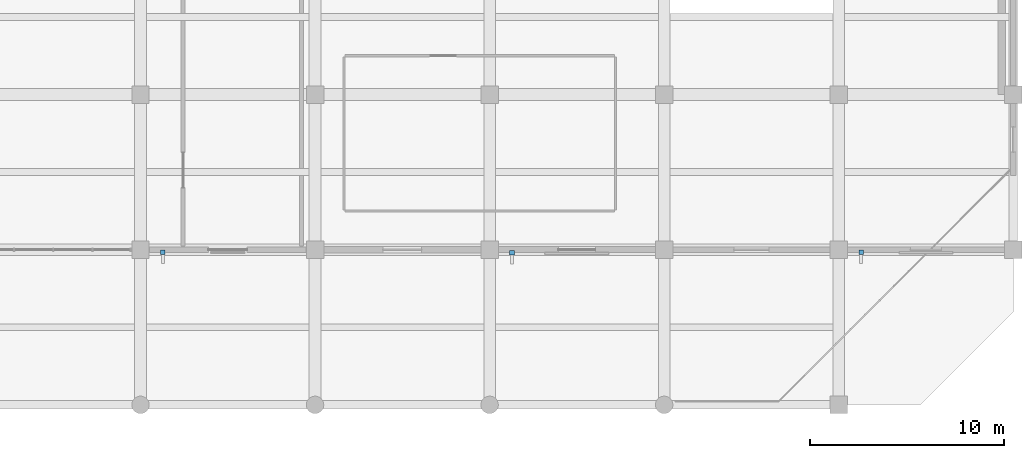
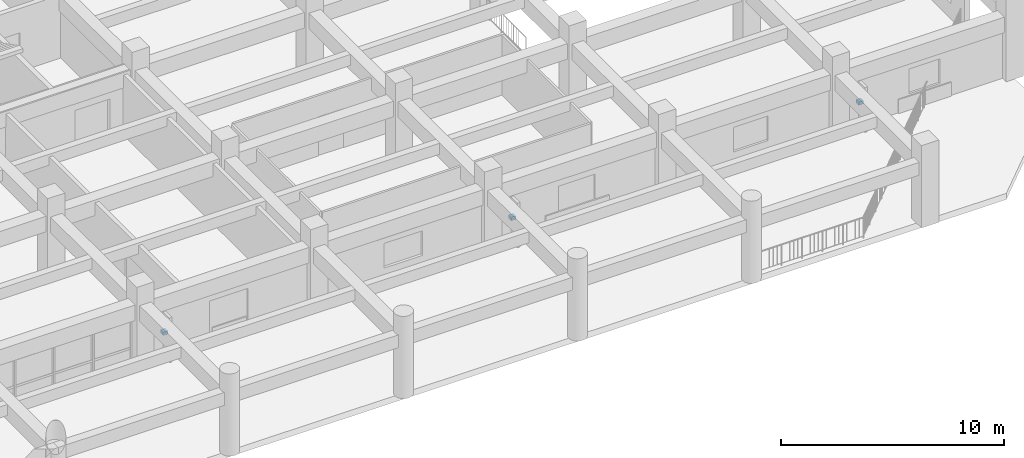
# One storey, part 33 of 40: 3 discrete accessories.
"""IFC4 building model written with IfcOpenShell, lengths in metres."""

from ifc_helpers import new_model, si_unit, direction, frame, origin, origin_2d, place, context, subcontext, project, spatial, rectangle, extrude, material, layer, layer_set, type_object, element, save


model = new_model("IFC4")

# Units and contexts
model_context = context("Model", 3, precision=1e-05, world=origin(), true_north=direction((0.0, 1.0)))
body_context = subcontext(model_context, "Body", "Model", "MODEL_VIEW")
ifc_project = project(units=[si_unit("LENGTHUNIT", "METRE"), si_unit("AREAUNIT", "SQUARE_METRE"), si_unit("VOLUMEUNIT", "CUBIC_METRE"), si_unit("PLANEANGLEUNIT", "RADIAN"), si_unit("MASSUNIT", "GRAM", prefix="KILO")], contexts=[model_context])

# Site, building, storey
site_placement = place(None, origin())
site = spatial("IfcSite", under=ifc_project, at=site_placement, CompositionType="ELEMENT")
building_placement = place(site_placement, origin())
building = spatial("IfcBuilding", under=site, at=building_placement, Name="Zaverband Oceanarium and Marine Research Institute", CompositionType="ELEMENT")
storey_placement = place(building_placement, origin())
storey = spatial("IfcBuildingStorey", under=building, at=storey_placement, Name="L00", CompositionType="ELEMENT", Elevation=0.0)

# Discrete accessories
ifc_material = material(Name="Steel S355", Category="steel")
ifc_layer = layer(ifc_material, 0.179931640625, Name="Steel S355")
ifc_layer_set = layer_set([ifc_layer], Name="Steel S355")
discrete_accessory_type = type_object("IfcDiscreteAccessoryType", Name="BRK-STL-200", PredefinedType="BRACKET", material=ifc_layer_set)
for number, where, z_axis, x_axis, name in (
    (1, (136.155029296875, 7.867431640625, 1.22021484375), (0.0, 0.0, 1.0), (1.0, 0.0, 0.0), "Galvanized steel facade fin structural bracket BRK-STL-200"),
    (2, (154.155029296875, 7.844970703125, 1.22021484375), (0.0, 0.0, 1.0), (1.0, 0.0, 0.0), "Galvanized steel facade fin structural bracket BRK-STL-200"),
    (3, (172.155029296875, 7.867431640625, 1.22021484375), (0.0, 0.0, 1.0), (1.0, 0.0, 0.0), "Galvanized steel facade fin structural bracket BRK-STL-200"),
):
    element("IfcDiscreteAccessory", number, at=place(storey_placement, frame(where, z_axis=z_axis, x_axis=x_axis)), inside=storey, type_object=discrete_accessory_type, Name=name, PredefinedType="BRACKET", context=body_context, shape_type="SweptSolid", body=[
        extrude(rectangle(XDim=0.239990234375, YDim=0.239990234375, at=origin_2d()), origin(), (0.0, 0.0, 1.0), 0.179931640625),
    ])

save(model, "model.ifc")
